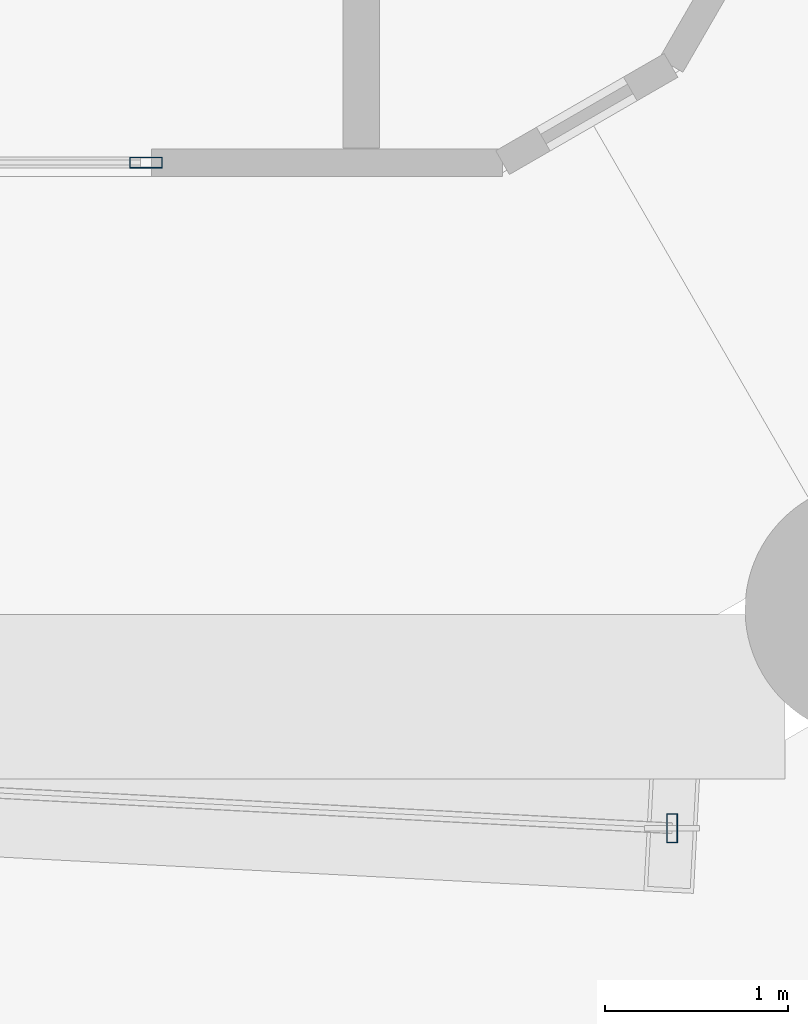
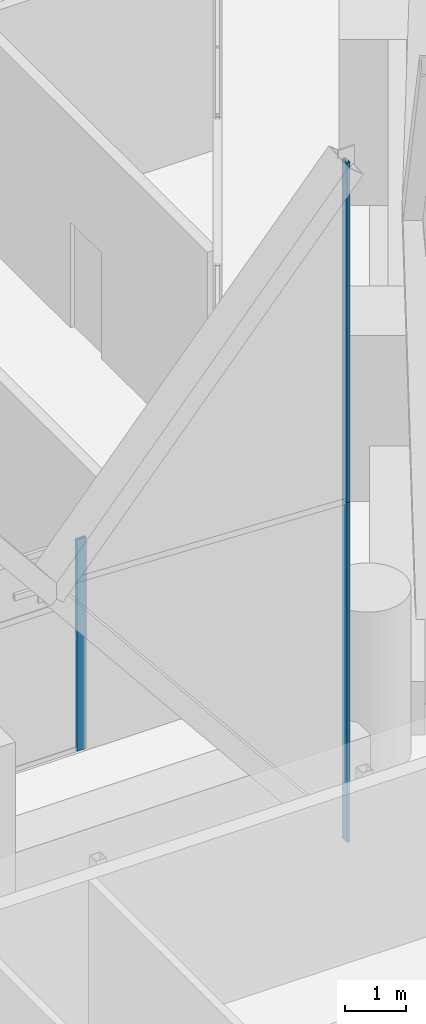
# One storey, part 13 of 71: 3 members, 2 elements without a shape of their own.
"""IFC4 building model written with IfcOpenShell, lengths in metres."""

from ifc_helpers import new_model, si_unit, direction, frame, origin, origin_2d, place, context, subcontext, project, spatial, hollow_rectangle, extrude, material, material_profile, profile_set, type_object, element, aggregate, save


model = new_model("IFC4")

# Units and contexts
model_context = context("Model", 3, precision=1e-05, world=origin(), true_north=direction((0.0, 1.0)))
body_context = subcontext(model_context, "Body", "Model", "MODEL_VIEW")
ifc_project = project(units=[si_unit("LENGTHUNIT", "METRE"), si_unit("AREAUNIT", "SQUARE_METRE"), si_unit("VOLUMEUNIT", "CUBIC_METRE"), si_unit("PLANEANGLEUNIT", "RADIAN"), si_unit("MASSUNIT", "GRAM", prefix="KILO")], contexts=[model_context])

# Site, building, storey
site_placement = place(None, origin())
site = spatial("IfcSite", under=ifc_project, at=site_placement, CompositionType="ELEMENT")
building_placement = place(site_placement, origin())
building = spatial("IfcBuilding", under=site, at=building_placement, Name="Ostrander Bayou Hotel Tower", CompositionType="ELEMENT")
storey_placement = place(building_placement, frame((0.0, 0.0, 10.0)))
storey = spatial("IfcBuildingStorey", under=building, at=storey_placement, Name="L02", CompositionType="ELEMENT", Elevation=10.0)

# Curtain wall, members
ifc_material_1 = material(Name="Aluminium and clear glass", Category="aluminium")
curtain_wall_type_1 = type_object("IfcCurtainWallType", Name="CW-LAT lattice glazing", PredefinedType="NOTDEFINED", material=ifc_material_1)
curtain_wall_1_placement = place(storey_placement, origin())
curtain_wall_1 = element("IfcCurtainWall", 1, at=curtain_wall_1_placement, inside=storey, type_object=curtain_wall_type_1, Name="CW-LAT L02 S 1", PredefinedType="NOTDEFINED")
ifc_material_2 = material(Name="Aluminium", Category="aluminium")
ifc_material_profile_1 = material_profile(ifc_material_2, hollow_rectangle(XDim=0.06005859375, YDim=0.159912109375, WallThickness=0.00390625, at=origin_2d()))
ifc_profile_set_1 = profile_set([ifc_material_profile_1], Name="Aluminium")
member_type_1 = type_object("IfcMemberType", Name="CW-LA mullion 60 x 160 mm", PredefinedType="MULLION", material=ifc_profile_set_1)
member_1_placement = place(storey_placement, frame((10.95068359375, -22.070068359375, -0.60009765625), z_axis=(0.0, 0.0, 1.0), x_axis=(1.0, 0.0, 0.0)))
member_1 = element("IfcMember", 2, at=member_1_placement, type_object=member_type_1, Name="CW-LAT mullion 4", PredefinedType="MULLION", context=body_context, shape_type="SweptSolid", body=[
    extrude(hollow_rectangle(XDim=0.06005859375, YDim=0.159912109375, WallThickness=0.00390625, at=origin_2d()), origin(), (0.0, 0.0, 1.0), 6.75),
])
member_2_placement = place(storey_placement, frame((10.95068359375, -22.070068359375, 6.14990234375), z_axis=(0.0, 0.0, 1.0), x_axis=(1.0, 0.0, 0.0)))
member_2 = element("IfcMember", 3, at=member_2_placement, type_object=member_type_1, Name="CW-LAT mullion 5", PredefinedType="MULLION", context=body_context, shape_type="SweptSolid", body=[
    extrude(hollow_rectangle(XDim=0.06005859375, YDim=0.159912109375, WallThickness=0.00390625, at=origin_2d()), origin(), (0.0, 0.0, 1.0), 6.75),
])
aggregate(curtain_wall_1, [member_1, member_2])

# Curtain wall, member
ifc_material_3 = material(Name="Aluminium and clear glass", Category="aluminium")
curtain_wall_type_2 = type_object("IfcCurtainWallType", Name="CW-SKY amenity glass wall", PredefinedType="NOTDEFINED", material=ifc_material_3)
curtain_wall_2_placement = place(storey_placement, origin())
curtain_wall_2 = element("IfcCurtainWall", 4, at=curtain_wall_2_placement, inside=storey, type_object=curtain_wall_type_2, Name="CW-SKY L02 S 4", PredefinedType="NOTDEFINED")
ifc_material_4 = material(Name="Aluminium", Category="aluminium")
ifc_material_profile_2 = material_profile(ifc_material_4, hollow_rectangle(XDim=0.06005859375, YDim=0.179931640625, WallThickness=0.00390625, at=origin_2d()))
ifc_profile_set_2 = profile_set([ifc_material_profile_2], Name="Aluminium")
member_type_2 = type_object("IfcMemberType", Name="CW-SK mullion 60 x 180 mm", PredefinedType="MULLION", material=ifc_profile_set_2)
member_3_placement = place(storey_placement, frame((8.070068359375, -18.425048828125, 0.0), z_axis=(0.0, 0.0, 1.0), x_axis=(0.0, 1.0, 0.0)))
member_3 = element("IfcMember", 5, at=member_3_placement, type_object=member_type_2, Name="CW-SKY mullion 3", PredefinedType="MULLION", context=body_context, shape_type="SweptSolid", body=[
    extrude(hollow_rectangle(XDim=0.06005859375, YDim=0.179931640625, WallThickness=0.00390625, at=origin_2d()), origin(), (0.0, 0.0, 1.0), 4.199951171875),
])
aggregate(curtain_wall_2, [member_3])

save(model, "model.ifc")
